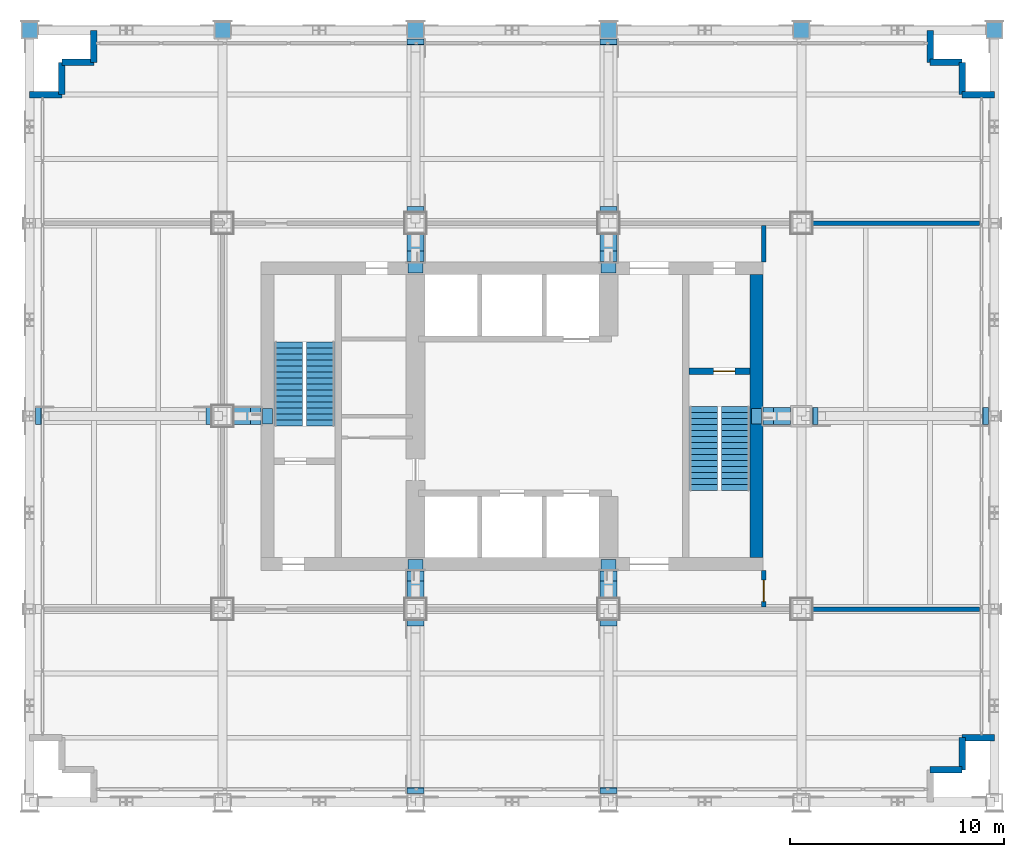
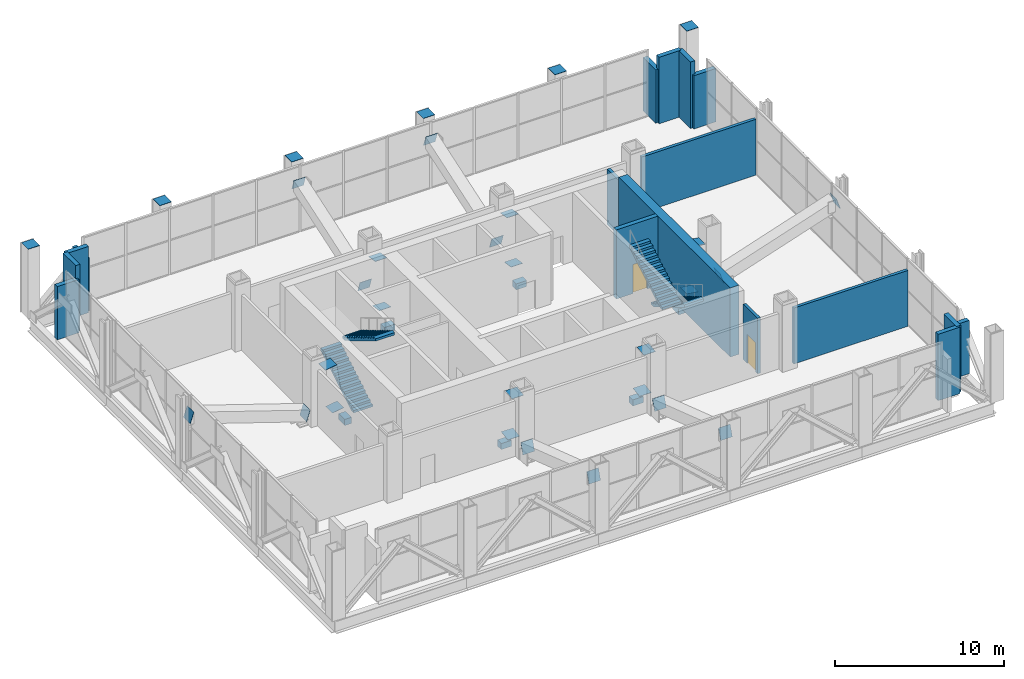
# One storey, part 15 of 16: 36 discrete accessories, 17 walls, 4 stair flights, 2 doors, 2 openings, 2 elements without a shape of their own.
"""IFC4 building model written with IfcOpenShell, lengths in metres."""

from ifc_helpers import new_model, si_unit, direction, frame, frame_2d, origin, origin_2d, place, context, subcontext, project, spatial, polyline, rectangle, outline, extrude, material, layer, layer_set, type_object, element, fill, aggregate, save


model = new_model("IFC4")

# Units and contexts
model_context = context("Model", 3, precision=1e-05, world=origin(), true_north=direction((0.0, 1.0)))
body_context = subcontext(model_context, "Body", "Model", "MODEL_VIEW")
ifc_project = project(units=[si_unit("LENGTHUNIT", "METRE"), si_unit("AREAUNIT", "SQUARE_METRE"), si_unit("VOLUMEUNIT", "CUBIC_METRE"), si_unit("PLANEANGLEUNIT", "RADIAN"), si_unit("MASSUNIT", "GRAM", prefix="KILO")], contexts=[model_context])

# Site, building, storey
site_placement = place(None, origin())
site = spatial("IfcSite", under=ifc_project, at=site_placement, CompositionType="ELEMENT")
building_placement = place(site_placement, origin())
building = spatial("IfcBuilding", under=site, at=building_placement, Name="Loomwork Tower", CompositionType="ELEMENT")
storey_placement = place(building_placement, frame((0.0, 0.0, 155.39990234375)))
storey = spatial("IfcBuildingStorey", under=building, at=storey_placement, Name="L42", CompositionType="ELEMENT", Elevation=155.39990234375)

# Wall, opening, door
ifc_material_1 = material(Name="Concrete 14000 psi (97 MPa)", Category="concrete")
ifc_layer_1 = layer(ifc_material_1, 0.300048828125)
ifc_layer_set_1 = layer_set([ifc_layer_1], Name="Core shear wall 300")
wall_type_1 = type_object("IfcWallType", Name="Core shear wall 300", PredefinedType="SHEAR", material=ifc_layer_set_1)
wall_1_placement = place(storey_placement, frame((30.75, 20.10009765625, 0.0), z_axis=(0.0, 0.0, 1.0), x_axis=(1.0, 0.0, 0.0)))
wall_1 = element("IfcWall", 1, at=wall_1_placement, inside=storey, type_object=wall_type_1, Name="Stair B north wall L42", PredefinedType="SHEAR", context=body_context, shape_type="SweptSolid", body=[
    extrude(rectangle(XDim=2.85009765625, YDim=0.300048828125, at=frame_2d((1.425048828125, 0.0))), origin(), (0.0, 0.0, 1.0), 5.0),
])
opening_1_placement = place(wall_1_placement, frame((1.14990234375, 0.0, 0.0)))
opening_1 = element("IfcOpeningElement", 2, at=opening_1_placement, cuts=wall_1, Name="Opening D4", PredefinedType="OPENING", context=body_context, shape_type="SweptSolid", body=[
    extrude(rectangle(XDim=1.0, YDim=2.10009765625, at=frame_2d((0.5, 1.050048828125))), frame((0.0, 0.159912109375, 0.0), z_axis=(0.0, -1.0, 0.0), x_axis=(1.0, 0.0, 0.0)), (0.0, 0.0, 1.0), 0.320068359375),
])
ifc_material_2 = material(Name="Hollow metal door and frame")
door_type_1 = type_object("IfcDoorType", Name="Stair door 1000", OperationType="SINGLE_SWING_RIGHT", PredefinedType="DOOR", material=ifc_material_2)
door_1_placement = place(opening_1_placement, frame((1.0, 0.0, 0.0), z_axis=(0.0, 0.0, 1.0), x_axis=(-1.0, 0.0, 0.0)))
door_1 = element("IfcDoor", 3, at=door_1_placement, inside=storey, type_object=door_type_1, Name="Stair B door", OperationType="SINGLE_SWING_LEFT", OverallHeight=2.10009765625, OverallWidth=1.0, PredefinedType="DOOR", context=body_context, shape_type="SweptSolid", body=[
    extrude(rectangle(XDim=1.0, YDim=2.10009765625, at=frame_2d((0.5, 1.050048828125))), frame((0.0, 0.02490234375, 0.0), z_axis=(0.0, -1.0, 0.0), x_axis=(1.0, 0.0, 0.0)), (0.0, 0.0, 1.0), 0.050048828125),
])
fill(opening_1, door_1)

# Walls
ifc_material_3 = material(Name="Concrete 14000 psi (97 MPa)", Category="concrete")
ifc_layer_2 = layer(ifc_material_3, 0.60009765625)
ifc_layer_set_2 = layer_set([ifc_layer_2], Name="Core shear wall 600")
wall_type_2 = type_object("IfcWallType", Name="Core shear wall 600", PredefinedType="SHEAR", material=ifc_layer_set_2)
wall_2_placement = place(storey_placement, frame((33.89990234375, 11.39990234375, 0.0), z_axis=(0.0, 0.0, 1.0), x_axis=(0.0, 1.0, 0.0)))
element("IfcWall", 4, at=wall_2_placement, inside=storey, type_object=wall_type_2, Name="Core wall east L42", PredefinedType="SHEAR", context=body_context, shape_type="SweptSolid", body=[
    extrude(rectangle(XDim=13.2001953125, YDim=0.60009765625, at=frame_2d((6.60009765625, 0.0))), origin(), (0.0, 0.0, 1.0), 5.0),
])
ifc_material_4 = material(Name="Gypsum board on steel studs, one-hour", Category="steel")
ifc_layer_3 = layer(ifc_material_4, 0.199951171875)
ifc_layer_set_3 = layer_set([ifc_layer_3], Name="Corridor wall 200")
wall_type_3 = type_object("IfcWallType", Name="Corridor wall 200", PredefinedType="PARTITIONING", material=ifc_layer_set_3)
wall_3_placement = place(storey_placement, frame((36.5, 9.0, 0.0), z_axis=(0.0, 0.0, 1.0), x_axis=(1.0, 0.0, 0.0)))
element("IfcWall", 5, at=wall_3_placement, inside=storey, type_object=wall_type_3, Name="Plant corridor wall S 4", PredefinedType="PARTITIONING", context=body_context, shape_type="SweptSolid", body=[
    extrude(rectangle(XDim=7.800048828125, YDim=0.199951171875, at=frame_2d((3.89990234375, 0.0))), origin(), (0.0, 0.0, 1.0), 4.0380859375),
])

# Wall, opening, door
wall_4_placement = place(storey_placement, frame((34.239990234375, 9.10009765625, 0.0), z_axis=(0.0, 0.0, 1.0), x_axis=(0.0, 1.0, 0.0)))
wall_4 = element("IfcWall", 6, at=wall_4_placement, inside=storey, type_object=wall_type_3, Name="Plant corridor end wall S 1", PredefinedType="PARTITIONING", context=body_context, shape_type="SweptSolid", body=[
    extrude(rectangle(XDim=1.699951171875, YDim=0.199951171875, at=frame_2d((0.85009765625, 0.0))), origin(), (0.0, 0.0, 1.0), 4.004150390625),
])
opening_2_placement = place(wall_4_placement, frame((0.25, 0.0, 0.0)))
opening_2 = element("IfcOpeningElement", 7, at=opening_2_placement, cuts=wall_4, Name="Opening D18", PredefinedType="OPENING", context=body_context, shape_type="SweptSolid", body=[
    extrude(rectangle(XDim=1.0, YDim=2.10009765625, at=frame_2d((0.5, 1.050048828125))), frame((0.0, 0.10986328125, 0.0), z_axis=(0.0, -1.0, 0.0), x_axis=(1.0, 0.0, 0.0)), (0.0, 0.0, 1.0), 0.219970703125),
])
ifc_material_5 = material(Name="Hollow metal door and frame")
door_type_2 = type_object("IfcDoorType", Name="Ninety-minute service door 1000", OperationType="SINGLE_SWING_LEFT", PredefinedType="DOOR", material=ifc_material_5)
door_2_placement = place(opening_2_placement, frame((1.0, 0.0, 0.0), z_axis=(0.0, 0.0, 1.0), x_axis=(-1.0, 0.0, 0.0)))
door_2 = element("IfcDoor", 8, at=door_2_placement, inside=storey, type_object=door_type_2, Name="Electrical switch room door", OperationType="SINGLE_SWING_RIGHT", OverallHeight=2.10009765625, OverallWidth=1.0, PredefinedType="DOOR", context=body_context, shape_type="SweptSolid", body=[
    extrude(rectangle(XDim=1.0, YDim=2.10009765625, at=frame_2d((0.5, 1.050048828125))), frame((0.0, 0.02490234375, 0.0), z_axis=(0.0, -1.0, 0.0), x_axis=(1.0, 0.0, 0.0)), (0.0, 0.0, 1.0), 0.050048828125),
])
fill(opening_2, door_2)

# Walls
wall_5_placement = place(storey_placement, frame((36.5, 27.0, 0.0), z_axis=(0.0, 0.0, 1.0), x_axis=(1.0, 0.0, 0.0)))
element("IfcWall", 9, at=wall_5_placement, inside=storey, type_object=wall_type_3, Name="Plant corridor wall N 4", PredefinedType="PARTITIONING", context=body_context, shape_type="SweptSolid", body=[
    extrude(rectangle(XDim=7.800048828125, YDim=0.199951171875, at=frame_2d((3.89990234375, 0.0))), origin(), (0.0, 0.0, 1.0), 4.0380859375),
])
wall_6_placement = place(storey_placement, frame((34.239990234375, 25.199951171875, 0.0), z_axis=(0.0, 0.0, 1.0), x_axis=(0.0, 1.0, 0.0)))
element("IfcWall", 10, at=wall_6_placement, inside=storey, type_object=wall_type_3, Name="Plant corridor end wall N 1", PredefinedType="PARTITIONING", context=body_context, shape_type="SweptSolid", body=[
    extrude(rectangle(XDim=1.699951171875, YDim=0.199951171875, at=frame_2d((0.85009765625, 0.0))), origin(), (0.0, 0.0, 1.0), 4.004150390625),
])
ifc_material_6 = material(Name="Limestone on concrete masonry", Category="masonry")
ifc_layer_4 = layer(ifc_material_6, 0.300048828125)
ifc_layer_set_4 = layer_set([ifc_layer_4], Name="Limestone corner wall 300")
wall_type_4 = type_object("IfcWallType", Name="Limestone corner wall 300", PredefinedType="SOLIDWALL", material=ifc_layer_set_4)
for number, where, z_axis, x_axis, name in (
    (11, (42.0, 1.5, 0.0), (0.0, 0.0, 1.0), (1.0, 0.0, 0.0), "Stone corner wall SE 2"),
    (12, (43.5, 1.5, 0.0), (0.0, 0.0, 1.0), (0.0, 1.0, 0.0), "Stone corner wall SE 3"),
):
    element("IfcWall", number, at=place(storey_placement, frame(where, z_axis=z_axis, x_axis=x_axis)), inside=storey, type_object=wall_type_4, Name=name, PredefinedType="SOLIDWALL", context=body_context, shape_type="SweptSolid", body=[
        extrude(rectangle(XDim=1.5, YDim=0.300048828125, at=frame_2d((0.75, 0.0))), origin(), (0.0, 0.0, 1.0), 4.800048828125),
    ])
for number, where, z_axis, x_axis, name in (
    (13, (43.5, 3.0, 0.0), (0.0, 0.0, 1.0), (1.0, 0.0, 0.0), "Stone corner wall SE 4"),
    (14, (45.0, 33.0, 0.0), (0.0, 0.0, 1.0), (-1.0, 0.0, 0.0), "Stone corner wall NE 1"),
):
    element("IfcWall", number, at=place(storey_placement, frame(where, z_axis=z_axis, x_axis=x_axis)), inside=storey, type_object=wall_type_4, Name=name, PredefinedType="SOLIDWALL", context=body_context, shape_type="SweptSolid", body=[
        extrude(rectangle(XDim=1.5, YDim=0.300048828125, at=frame_2d((0.75, 0.0))), origin(), (0.0, 0.0, 1.0), 3.85205078125),
    ])
for number, where, z_axis, x_axis, name in (
    (15, (43.5, 33.0, 0.0), (0.0, 0.0, 1.0), (0.0, 1.0, 0.0), "Stone corner wall NE 2"),
    (16, (43.5, 34.5, 0.0), (0.0, 0.0, 1.0), (-1.0, 0.0, 0.0), "Stone corner wall NE 3"),
):
    element("IfcWall", number, at=place(storey_placement, frame(where, z_axis=z_axis, x_axis=x_axis)), inside=storey, type_object=wall_type_4, Name=name, PredefinedType="SOLIDWALL", context=body_context, shape_type="SweptSolid", body=[
        extrude(rectangle(XDim=1.5, YDim=0.300048828125, at=frame_2d((0.75, 0.0))), origin(), (0.0, 0.0, 1.0), 4.800048828125),
    ])
for number, where, z_axis, x_axis, name in (
    (17, (42.0, 34.5, 0.0), (0.0, 0.0, 1.0), (0.0, 1.0, 0.0), "Stone corner wall NE 4"),
    (18, (3.0, 36.0, 0.0), (0.0, 0.0, 1.0), (0.0, -1.0, 0.0), "Stone corner wall NW 1"),
):
    element("IfcWall", number, at=place(storey_placement, frame(where, z_axis=z_axis, x_axis=x_axis)), inside=storey, type_object=wall_type_4, Name=name, PredefinedType="SOLIDWALL", context=body_context, shape_type="SweptSolid", body=[
        extrude(rectangle(XDim=1.5, YDim=0.300048828125, at=frame_2d((0.75, 0.0))), origin(), (0.0, 0.0, 1.0), 3.85205078125),
    ])
for number, where, z_axis, x_axis, name in (
    (19, (3.0, 34.5, 0.0), (0.0, 0.0, 1.0), (-1.0, 0.0, 0.0), "Stone corner wall NW 2"),
    (20, (1.5, 34.5, 0.0), (0.0, 0.0, 1.0), (0.0, -1.0, 0.0), "Stone corner wall NW 3"),
):
    element("IfcWall", number, at=place(storey_placement, frame(where, z_axis=z_axis, x_axis=x_axis)), inside=storey, type_object=wall_type_4, Name=name, PredefinedType="SOLIDWALL", context=body_context, shape_type="SweptSolid", body=[
        extrude(rectangle(XDim=1.5, YDim=0.300048828125, at=frame_2d((0.75, 0.0))), origin(), (0.0, 0.0, 1.0), 4.800048828125),
    ])
wall_7_placement = place(storey_placement, frame((1.5, 33.0, 0.0), z_axis=(0.0, 0.0, 1.0), x_axis=(-1.0, 0.0, 0.0)))
element("IfcWall", 21, at=wall_7_placement, inside=storey, type_object=wall_type_4, Name="Stone corner wall NW 4", PredefinedType="SOLIDWALL", context=body_context, shape_type="SweptSolid", body=[
    extrude(rectangle(XDim=1.5, YDim=0.300048828125, at=frame_2d((0.75, 0.0))), origin(), (0.0, 0.0, 1.0), 3.85205078125),
])

# Stair, stair flights
ifc_material_7 = material(Name="Concrete 5000 psi (34 MPa) precast stair", Category="concrete")
stair_type_1 = type_object("IfcStairType", Name="Stair ST-A 30 risers 2850 wide", PredefinedType="HALF_TURN_STAIR", material=ifc_material_7)
stair_1_placement = place(storey_placement, origin())
stair_1 = element("IfcStair", 22, at=stair_1_placement, inside=storey, type_object=stair_type_1, Name="Stair A L42", PredefinedType="HALF_TURN_STAIR")
ifc_material_8 = material(Name="Concrete 5000 psi (34 MPa) precast stair", Category="concrete")
stair_flight_type_1 = type_object("IfcStairFlightType", Name="Stair flight ST-A 15 risers 1300 wide", PredefinedType="STRAIGHT", material=ifc_material_8)
stair_flight_1_placement = place(storey_placement, frame((12.074951171875, 17.550048828125, 0.0), z_axis=(0.0, 0.0, 1.0), x_axis=(0.0, 1.0, 0.0)))
stair_flight_1 = element("IfcStairFlight", 23, at=stair_flight_1_placement, type_object=stair_flight_type_1, Name="ST-A flight 1", NumberOfRisers=15, NumberOfTreads=14, PredefinedType="STRAIGHT", RiserHeight=0.166666667, TreadLength=0.28, context=body_context, shape_type="SweptSolid", body=[
    extrude(outline(polyline([(0.0, 0.0), (0.0, 0.166748046875), (0.280029296875, 0.166748046875), (0.280029296875, 0.333251953125), (0.56005859375, 0.333251953125), (0.56005859375, 0.5), (0.840087890625, 0.5), (0.840087890625, 0.666748046875), (1.1201171875, 0.666748046875), (1.1201171875, 0.833251953125), (1.39990234375, 0.833251953125), (1.39990234375, 1.0), (1.679931640625, 1.0), (1.679931640625, 1.166748046875), (1.9599609375, 1.166748046875), (1.9599609375, 1.333251953125), (2.239990234375, 1.333251953125), (2.239990234375, 1.5), (2.52001953125, 1.5), (2.52001953125, 1.666748046875), (2.800048828125, 1.666748046875), (2.800048828125, 1.833251953125), (3.080078125, 1.833251953125), (3.080078125, 2.0), (3.360107421875, 2.0), (3.360107421875, 2.166748046875), (3.639892578125, 2.166748046875), (3.639892578125, 2.333251953125), (3.919921875, 2.333251953125), (3.919921875, 2.5), (3.919921875, 2.158935546875), (0.29296875, 0.0), (0.0, 0.0)])), frame((0.0, 0.64990234375, 0.0), z_axis=(0.0, -1.0, 0.0), x_axis=(1.0, 0.0, 0.0)), (0.0, 0.0, 1.0), 1.300048828125),
])
stair_flight_2_placement = place(storey_placement, frame((13.574951171875, 21.469970703125, 2.5), z_axis=(0.0, 0.0, 1.0), x_axis=(0.0, -1.0, 0.0)))
stair_flight_2 = element("IfcStairFlight", 24, at=stair_flight_2_placement, type_object=stair_flight_type_1, Name="ST-A flight 2", NumberOfRisers=15, NumberOfTreads=14, PredefinedType="STRAIGHT", RiserHeight=0.166666667, TreadLength=0.28, context=body_context, shape_type="SweptSolid", body=[
    extrude(outline(polyline([(0.0, 0.0), (0.0, 0.166748046875), (0.280029296875, 0.166748046875), (0.280029296875, 0.333251953125), (0.56005859375, 0.333251953125), (0.56005859375, 0.5), (0.840087890625, 0.5), (0.840087890625, 0.666748046875), (1.1201171875, 0.666748046875), (1.1201171875, 0.833251953125), (1.39990234375, 0.833251953125), (1.39990234375, 1.0), (1.679931640625, 1.0), (1.679931640625, 1.166748046875), (1.9599609375, 1.166748046875), (1.9599609375, 1.333251953125), (2.239990234375, 1.333251953125), (2.239990234375, 1.5), (2.52001953125, 1.5), (2.52001953125, 1.666748046875), (2.800048828125, 1.666748046875), (2.800048828125, 1.833251953125), (3.080078125, 1.833251953125), (3.080078125, 2.0), (3.360107421875, 2.0), (3.360107421875, 2.166748046875), (3.639892578125, 2.166748046875), (3.639892578125, 2.333251953125), (3.919921875, 2.333251953125), (3.919921875, 2.5), (3.919921875, 2.158935546875), (0.29296875, 0.0), (0.0, 0.0)])), frame((0.0, 0.64990234375, 0.0), z_axis=(0.0, -1.0, 0.0), x_axis=(1.0, 0.0, 0.0)), (0.0, 0.0, 1.0), 1.300048828125),
])
aggregate(stair_1, [stair_flight_1, stair_flight_2])

ifc_material_9 = material(Name="Concrete 5000 psi (34 MPa) precast stair", Category="concrete")
stair_type_2 = type_object("IfcStairType", Name="Stair ST-B 30 risers 2850 wide", PredefinedType="HALF_TURN_STAIR", material=ifc_material_9)
stair_2_placement = place(storey_placement, origin())
stair_2 = element("IfcStair", 25, at=stair_2_placement, inside=storey, type_object=stair_type_2, Name="Stair B L42", PredefinedType="HALF_TURN_STAIR")
ifc_material_10 = material(Name="Concrete 5000 psi (34 MPa) precast stair", Category="concrete")
stair_flight_type_2 = type_object("IfcStairFlightType", Name="Stair flight ST-B 15 risers 1300 wide", PredefinedType="STRAIGHT", material=ifc_material_10)
stair_flight_3_placement = place(storey_placement, frame((32.925048828125, 18.449951171875, 0.0), z_axis=(0.0, 0.0, 1.0), x_axis=(0.0, -1.0, 0.0)))
stair_flight_3 = element("IfcStairFlight", 26, at=stair_flight_3_placement, type_object=stair_flight_type_2, Name="ST-B flight 1", NumberOfRisers=15, NumberOfTreads=14, PredefinedType="STRAIGHT", RiserHeight=0.166666667, TreadLength=0.28, context=body_context, shape_type="SweptSolid", body=[
    extrude(outline(polyline([(0.0, 0.0), (0.0, 0.166748046875), (0.280029296875, 0.166748046875), (0.280029296875, 0.333251953125), (0.56005859375, 0.333251953125), (0.56005859375, 0.5), (0.840087890625, 0.5), (0.840087890625, 0.666748046875), (1.1201171875, 0.666748046875), (1.1201171875, 0.833251953125), (1.39990234375, 0.833251953125), (1.39990234375, 1.0), (1.679931640625, 1.0), (1.679931640625, 1.166748046875), (1.9599609375, 1.166748046875), (1.9599609375, 1.333251953125), (2.239990234375, 1.333251953125), (2.239990234375, 1.5), (2.52001953125, 1.5), (2.52001953125, 1.666748046875), (2.800048828125, 1.666748046875), (2.800048828125, 1.833251953125), (3.080078125, 1.833251953125), (3.080078125, 2.0), (3.360107421875, 2.0), (3.360107421875, 2.166748046875), (3.639892578125, 2.166748046875), (3.639892578125, 2.333251953125), (3.919921875, 2.333251953125), (3.919921875, 2.5), (3.919921875, 2.158935546875), (0.29296875, 0.0), (0.0, 0.0)])), frame((0.0, 0.64990234375, 0.0), z_axis=(0.0, -1.0, 0.0), x_axis=(1.0, 0.0, 0.0)), (0.0, 0.0, 1.0), 1.300048828125),
])
stair_flight_4_placement = place(storey_placement, frame((31.425048828125, 14.530029296875, 2.5), z_axis=(0.0, 0.0, 1.0), x_axis=(0.0, 1.0, 0.0)))
stair_flight_4 = element("IfcStairFlight", 27, at=stair_flight_4_placement, type_object=stair_flight_type_2, Name="ST-B flight 2", NumberOfRisers=15, NumberOfTreads=14, PredefinedType="STRAIGHT", RiserHeight=0.166666667, TreadLength=0.28, context=body_context, shape_type="SweptSolid", body=[
    extrude(outline(polyline([(0.0, 0.0), (0.0, 0.166748046875), (0.280029296875, 0.166748046875), (0.280029296875, 0.333251953125), (0.56005859375, 0.333251953125), (0.56005859375, 0.5), (0.840087890625, 0.5), (0.840087890625, 0.666748046875), (1.1201171875, 0.666748046875), (1.1201171875, 0.833251953125), (1.39990234375, 0.833251953125), (1.39990234375, 1.0), (1.679931640625, 1.0), (1.679931640625, 1.166748046875), (1.9599609375, 1.166748046875), (1.9599609375, 1.333251953125), (2.239990234375, 1.333251953125), (2.239990234375, 1.5), (2.52001953125, 1.5), (2.52001953125, 1.666748046875), (2.800048828125, 1.666748046875), (2.800048828125, 1.833251953125), (3.080078125, 1.833251953125), (3.080078125, 2.0), (3.360107421875, 2.0), (3.360107421875, 2.166748046875), (3.639892578125, 2.166748046875), (3.639892578125, 2.333251953125), (3.919921875, 2.333251953125), (3.919921875, 2.5), (3.919921875, 2.158935546875), (0.29296875, 0.0), (0.0, 0.0)])), frame((0.0, 0.64990234375, 0.0), z_axis=(0.0, -1.0, 0.0), x_axis=(1.0, 0.0, 0.0)), (0.0, 0.0, 1.0), 1.300048828125),
])
aggregate(stair_2, [stair_flight_3, stair_flight_4])

# Discrete accessories
ifc_material_11 = material(Name="Steel ASTM A706 Grade 60", Category="steel")
discrete_accessory_type_1 = type_object("IfcDiscreteAccessoryType", Name="Outrigger core-wall anchor bar group", PredefinedType="USERDEFINED", material=ifc_material_11)
discrete_accessory_1_placement = place(storey_placement, frame((27.0, 11.089111328125, -0.76953125), z_axis=(0.0, 0.0, 1.0), x_axis=(1.0, 0.0, 0.0)))
element("IfcDiscreteAccessory", 28, at=discrete_accessory_1_placement, inside=storey, type_object=discrete_accessory_type_1, Name="Outrigger core-wall anchor bar group 27,9-27,11.1 L42", ObjectType="ANCHOR BAR GROUP", PredefinedType="USERDEFINED", context=body_context, shape_type="SweptSolid", body=[
    extrude(rectangle(XDim=0.719970703125, YDim=0.4599609375, at=origin_2d()), origin(), (0.0, 0.0, 1.0), 0.43994140625),
])
discrete_accessory_2_placement = place(storey_placement, frame((33.910888671875, 18.0, -0.76953125), z_axis=(0.0, 0.0, 1.0), x_axis=(1.0, 0.0, 0.0)))
element("IfcDiscreteAccessory", 29, at=discrete_accessory_2_placement, inside=storey, type_object=discrete_accessory_type_1, Name="Outrigger core-wall anchor bar group 36,18-33.9,18 L42", ObjectType="ANCHOR BAR GROUP", PredefinedType="USERDEFINED", context=body_context, shape_type="SweptSolid", body=[
    extrude(rectangle(XDim=0.4599609375, YDim=0.719970703125, at=origin_2d()), origin(), (0.0, 0.0, 1.0), 0.43994140625),
])
for number, where, z_axis, x_axis, name in (
    (30, (27.0, 24.910888671875, -0.76953125), (0.0, 0.0, 1.0), (1.0, 0.0, 0.0), "Outrigger core-wall anchor bar group 27,27-27,24.9 L42"),
    (31, (18.0, 11.089111328125, -0.76953125), (0.0, 0.0, 1.0), (1.0, 0.0, 0.0), "Outrigger core-wall anchor bar group 18,9-18,11.1 L42"),
    (32, (18.0, 24.910888671875, -0.76953125), (0.0, 0.0, 1.0), (1.0, 0.0, 0.0), "Outrigger core-wall anchor bar group 18,27-18,24.9 L42"),
):
    element("IfcDiscreteAccessory", number, at=place(storey_placement, frame(where, z_axis=z_axis, x_axis=x_axis)), inside=storey, type_object=discrete_accessory_type_1, Name=name, ObjectType="ANCHOR BAR GROUP", PredefinedType="USERDEFINED", context=body_context, shape_type="SweptSolid", body=[
        extrude(rectangle(XDim=0.719970703125, YDim=0.4599609375, at=origin_2d()), origin(), (0.0, 0.0, 1.0), 0.43994140625),
    ])
discrete_accessory_3_placement = place(storey_placement, frame((11.089111328125, 18.0, -0.76953125), z_axis=(0.0, 0.0, 1.0), x_axis=(1.0, 0.0, 0.0)))
element("IfcDiscreteAccessory", 33, at=discrete_accessory_3_placement, inside=storey, type_object=discrete_accessory_type_1, Name="Outrigger core-wall anchor bar group 9,18-11.1,18 L42", ObjectType="ANCHOR BAR GROUP", PredefinedType="USERDEFINED", context=body_context, shape_type="SweptSolid", body=[
    extrude(rectangle(XDim=0.4599609375, YDim=0.719970703125, at=origin_2d()), origin(), (0.0, 0.0, 1.0), 0.43994140625),
])
ifc_material_12 = material(Name="Steel ASTM A572 Grade 50", Category="steel")
ifc_layer_5 = layer(ifc_material_12, 0.02490234375)
ifc_layer_set_5 = layer_set([ifc_layer_5], Name="Steel end cap plate 25")
discrete_accessory_type_2 = type_object("IfcDiscreteAccessoryType", Name="Steel end cap plate 25", PredefinedType="USERDEFINED", material=ifc_layer_set_5)
for number, where, z_axis, x_axis, name in (
    (34, (0.0, 36.0, 4.999267578125), (0.0, 0.0, 1.0), (1.0, 0.0, 0.0), "Column end cap plate Exoskeleton Pier H/2 L42"),
    (35, (9.0, 36.0, 4.999267578125), (0.0, 0.0, 1.0), (1.0, 0.0, 0.0), "Column end cap plate Exoskeleton Pier H/3 L42"),
    (36, (18.0, 36.0, 4.999267578125), (0.0, 0.0, 1.0), (1.0, 0.0, 0.0), "Column end cap plate Exoskeleton Pier H/4 L42"),
    (37, (27.0, 36.0, 4.999267578125), (0.0, 0.0, 1.0), (1.0, 0.0, 0.0), "Column end cap plate Exoskeleton Pier H/5 L42"),
    (38, (36.0, 36.0, 4.999267578125), (0.0, 0.0, 1.0), (1.0, 0.0, 0.0), "Column end cap plate Exoskeleton Pier H/6 L42"),
    (39, (45.0, 36.0, 4.999267578125), (0.0, 0.0, 1.0), (1.0, 0.0, 0.0), "Column end cap plate Exoskeleton Pier H/7 L42"),
    (40, (0.427978515625, 18.0, 3.45556640625), (-0.949657780128, 0.0, 0.313289164578), (0.0, -1.0, 0.0), "Outrigger diagonal end seal plate F/2/0 p0"),
):
    element("IfcDiscreteAccessory", number, at=place(storey_placement, frame(where, z_axis=z_axis, x_axis=x_axis)), inside=storey, type_object=discrete_accessory_type_2, Name=name, ObjectType="END PLATE", PredefinedType="USERDEFINED", context=body_context, shape_type="SweptSolid", body=[
        extrude(rectangle(XDim=0.800048828125, YDim=0.800048828125, at=origin_2d()), origin(), (0.0, 0.0, 1.0), 0.02490234375),
    ])
discrete_accessory_4_placement = place(storey_placement, frame((8.34619140625, 18.0, 0.83740234375), z_axis=(0.950605456491, 0.0, -0.310401781711), x_axis=(0.0, 1.0, 0.0)))
element("IfcDiscreteAccessory", 41, at=discrete_accessory_4_placement, inside=storey, type_object=discrete_accessory_type_2, Name="Outrigger diagonal end seal plate F/2/0 p1", ObjectType="END PLATE", PredefinedType="USERDEFINED", context=body_context, shape_type="SweptSolid", body=[
    extrude(rectangle(XDim=0.800048828125, YDim=0.800048828125, at=origin_2d()), origin(), (0.0, 0.0, 1.0), 0.025146484375),
])
for number, where, z_axis, x_axis, name in (
    (42, (9.91015625, 18.0, 3.765380859375), (-0.146903586496, 0.0, 0.989150815738), (0.0, -1.0, 0.0), "Outrigger diagonal end seal plate F/3/1 p0"),
    (43, (10.389892578125, 18.0, 0.52783203125), (0.146903586496, 0.0, -0.989150815738), (0.0, 1.0, 0.0), "Outrigger diagonal end seal plate F/3/1 p1"),
    (44, (44.572021484375, 18.0, 3.45556640625), (0.949657780128, 0.0, 0.313289164578), (0.0, 1.0, 0.0), "Outrigger diagonal end seal plate F/7/0 p0"),
):
    element("IfcDiscreteAccessory", number, at=place(storey_placement, frame(where, z_axis=z_axis, x_axis=x_axis)), inside=storey, type_object=discrete_accessory_type_2, Name=name, ObjectType="END PLATE", PredefinedType="USERDEFINED", context=body_context, shape_type="SweptSolid", body=[
        extrude(rectangle(XDim=0.800048828125, YDim=0.800048828125, at=origin_2d()), origin(), (0.0, 0.0, 1.0), 0.02490234375),
    ])
discrete_accessory_5_placement = place(storey_placement, frame((36.65380859375, 18.0, 0.83740234375), z_axis=(-0.950605456491, 0.0, -0.310401781711), x_axis=(0.0, -1.0, 0.0)))
element("IfcDiscreteAccessory", 45, at=discrete_accessory_5_placement, inside=storey, type_object=discrete_accessory_type_2, Name="Outrigger diagonal end seal plate F/7/0 p1", ObjectType="END PLATE", PredefinedType="USERDEFINED", context=body_context, shape_type="SweptSolid", body=[
    extrude(rectangle(XDim=0.800048828125, YDim=0.800048828125, at=origin_2d()), origin(), (0.0, 0.0, 1.0), 0.025146484375),
])
for number, where, z_axis, x_axis, name in (
    (46, (35.08984375, 18.0, 3.765380859375), (0.146903586496, 0.0, 0.989150815738), (0.0, 1.0, 0.0), "Outrigger diagonal end seal plate F/6/1 p0"),
    (47, (34.610107421875, 18.0, 0.52783203125), (-0.146903586496, 0.0, -0.989150815738), (0.0, -1.0, 0.0), "Outrigger diagonal end seal plate F/6/1 p1"),
    (48, (18.0, 0.5556640625, 3.4560546875), (0.0, -0.94671323822, 0.3220776996), (1.0, 0.0, 0.0), "Outrigger diagonal end seal plate D/4/0 p0"),
    (49, (18.0, 8.344482421875, 0.8369140625), (0.0, 0.949657780128, -0.313289164578), (-1.0, 0.0, 0.0), "Outrigger diagonal end seal plate D/4/0 p1"),
    (50, (18.0, 9.91015625, 3.765380859375), (0.0, -0.146903586496, 0.989150815738), (1.0, 0.0, 0.0), "Outrigger diagonal end seal plate E/4/1 p0"),
    (51, (18.0, 10.389892578125, 0.52783203125), (0.0, 0.146903586496, -0.989150815738), (-1.0, 0.0, 0.0), "Outrigger diagonal end seal plate E/4/1 p1"),
    (52, (18.0, 35.4443359375, 3.4560546875), (0.0, 0.94671323822, 0.3220776996), (-1.0, 0.0, 0.0), "Outrigger diagonal end seal plate H/4/0 p0"),
    (53, (18.0, 27.655517578125, 0.8369140625), (0.0, -0.949657780128, -0.313289164578), (1.0, 0.0, 0.0), "Outrigger diagonal end seal plate H/4/0 p1"),
    (54, (18.0, 26.08984375, 3.765380859375), (0.0, 0.146903586496, 0.989150815738), (-1.0, 0.0, 0.0), "Outrigger diagonal end seal plate G/4/1 p0"),
    (55, (18.0, 25.610107421875, 0.52783203125), (0.0, -0.146903586496, -0.989150815738), (1.0, 0.0, 0.0), "Outrigger diagonal end seal plate G/4/1 p1"),
    (56, (27.0, 0.5556640625, 3.4560546875), (0.0, -0.94671323822, 0.3220776996), (1.0, 0.0, 0.0), "Outrigger diagonal end seal plate D/5/0 p0"),
    (57, (27.0, 8.344482421875, 0.8369140625), (0.0, 0.949657780128, -0.313289164578), (-1.0, 0.0, 0.0), "Outrigger diagonal end seal plate D/5/0 p1"),
    (58, (27.0, 9.91015625, 3.765380859375), (0.0, -0.146903586496, 0.989150815738), (1.0, 0.0, 0.0), "Outrigger diagonal end seal plate E/5/1 p0"),
    (59, (27.0, 10.389892578125, 0.52783203125), (0.0, 0.146903586496, -0.989150815738), (-1.0, 0.0, 0.0), "Outrigger diagonal end seal plate E/5/1 p1"),
    (60, (27.0, 35.4443359375, 3.4560546875), (0.0, 0.94671323822, 0.3220776996), (-1.0, 0.0, 0.0), "Outrigger diagonal end seal plate H/5/0 p0"),
    (61, (27.0, 27.655517578125, 0.8369140625), (0.0, -0.949657780128, -0.313289164578), (1.0, 0.0, 0.0), "Outrigger diagonal end seal plate H/5/0 p1"),
    (62, (27.0, 26.08984375, 3.765380859375), (0.0, 0.146903586496, 0.989150815738), (-1.0, 0.0, 0.0), "Outrigger diagonal end seal plate G/5/1 p0"),
    (63, (27.0, 25.610107421875, 0.52783203125), (0.0, -0.146903586496, -0.989150815738), (1.0, 0.0, 0.0), "Outrigger diagonal end seal plate G/5/1 p1"),
):
    element("IfcDiscreteAccessory", number, at=place(storey_placement, frame(where, z_axis=z_axis, x_axis=x_axis)), inside=storey, type_object=discrete_accessory_type_2, Name=name, ObjectType="END PLATE", PredefinedType="USERDEFINED", context=body_context, shape_type="SweptSolid", body=[
        extrude(rectangle(XDim=0.800048828125, YDim=0.800048828125, at=origin_2d()), origin(), (0.0, 0.0, 1.0), 0.02490234375),
    ])

save(model, "model.ifc")
